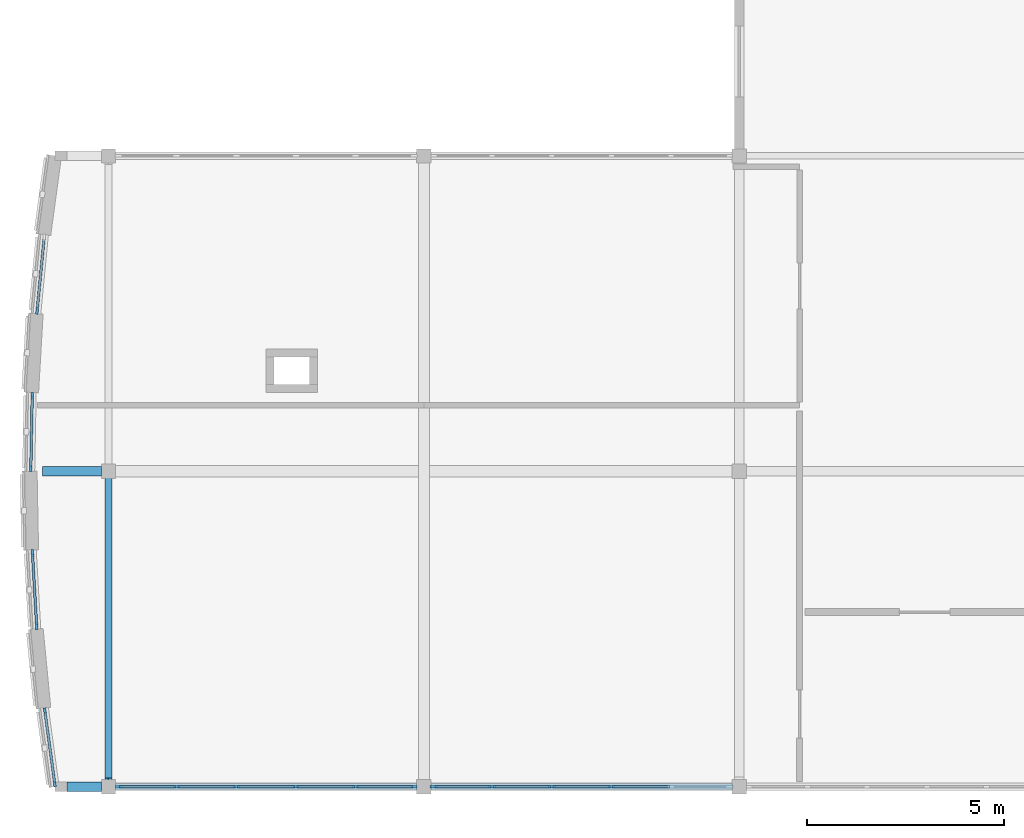
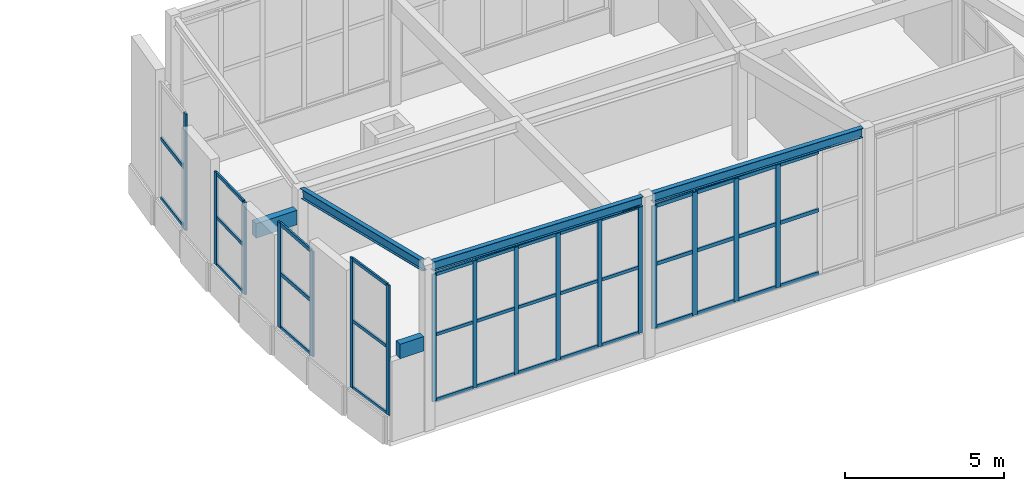
# One storey, part 3 of 63: 55 members, 5 beams, 6 elements without a shape of their own.
"""IFC4 building model written with IfcOpenShell, lengths in metres."""

from ifc_helpers import new_model, si_unit, direction, frame, origin, origin_2d, place, context, subcontext, project, spatial, rectangle, i_section, extrude, material, layer, layer_set, material_profile, profile_set, type_object, element, aggregate, save


model = new_model("IFC4")

# Units and contexts
model_context = context("Model", 3, precision=1e-05, world=origin(), true_north=direction((0.0, 1.0)))
body_context = subcontext(model_context, "Body", "Model", "MODEL_VIEW")
ifc_project = project(units=[si_unit("LENGTHUNIT", "METRE"), si_unit("AREAUNIT", "SQUARE_METRE"), si_unit("VOLUMEUNIT", "CUBIC_METRE"), si_unit("PLANEANGLEUNIT", "RADIAN"), si_unit("MASSUNIT", "GRAM", prefix="KILO")], contexts=[model_context])

# Site, building, storey
site_placement = place(None, origin())
site = spatial("IfcSite", under=ifc_project, at=site_placement, CompositionType="ELEMENT")
building_placement = place(site_placement, origin())
building = spatial("IfcBuilding", under=site, at=building_placement, Name="Tonlespit Floodbar School", CompositionType="ELEMENT")
storey_placement = place(building_placement, frame((0.0, 0.0, 8.39990234375)))
storey = spatial("IfcBuildingStorey", under=building, at=storey_placement, Name="L02", CompositionType="ELEMENT", Elevation=8.39990234375)

# Beams
ifc_material_1 = material(Name="Glulam GL28h", Category="wood")
ifc_material_profile_1 = material_profile(ifc_material_1, rectangle(XDim=0.239990234375, YDim=0.56005859375, at=origin_2d()), Name="GL 240x560")
ifc_profile_set_1 = profile_set([ifc_material_profile_1], Name="Glulam GL28h")
beam_type_1 = type_object("IfcBeamType", Name="Beam_GL_240x560", PredefinedType="BEAM", material=ifc_profile_set_1)
beam_1_placement = place(storey_placement, frame((3.820068359375, 4.0, 3.3701171875), z_axis=(-1.0, 0.0, 0.0), x_axis=(0.0, -1.0, 0.0)))
element("IfcBeam", 1, at=beam_1_placement, inside=storey, type_object=beam_type_1, Name="L02 west street wave cantilever bracket", PredefinedType="BEAM", context=body_context, shape_type="SweptSolid", body=[
    extrude(rectangle(XDim=0.239990234375, YDim=0.56005859375, at=origin_2d()), origin(), (0.0, 0.0, 1.0), 0.8701171875),
])
beam_2_placement = place(storey_placement, frame((3.820068359375, 12.0, 3.3701171875), z_axis=(-1.0, 0.0, 0.0), x_axis=(0.0, -1.0, 0.0)))
element("IfcBeam", 2, at=beam_2_placement, inside=storey, type_object=beam_type_1, Name="L02 west street wave cantilever bracket", PredefinedType="BEAM", context=body_context, shape_type="SweptSolid", body=[
    extrude(rectangle(XDim=0.239990234375, YDim=0.56005859375, at=origin_2d()), origin(), (0.0, 0.0, 1.0), 1.4892578125),
])

# Curtain wall, members
ifc_material_2 = material(Name="Anodised Aluminium", Category="aluminium")
ifc_layer_1 = layer(ifc_material_2, 0.159912109375)
ifc_layer_set_1 = layer_set([ifc_layer_1], Name="Anodised Aluminium")
curtain_wall_type_1 = type_object("IfcCurtainWallType", Name="CurtainWall_1950x5000", PredefinedType="NOTDEFINED", material=ifc_layer_set_1)
curtain_wall_1_placement = place(storey_placement, origin())
curtain_wall_1 = element("IfcCurtainWall", 3, at=curtain_wall_1_placement, inside=storey, type_object=curtain_wall_type_1, Name="L02 unitised curtain wall 0528", PredefinedType="NOTDEFINED")
ifc_material_profile_2 = material_profile(ifc_material_2, rectangle(XDim=0.06494140625, YDim=0.14990234375, at=origin_2d()), Name="ALU M65x150")
ifc_profile_set_2 = profile_set([ifc_material_profile_2], Name="Anodised Aluminium")
member_type_1 = type_object("IfcMemberType", Name="CW_Mullion_65x150", PredefinedType="MULLION", material=ifc_profile_set_2)
member_1_placement = place(storey_placement, frame((2.64013671875, 4.07177734375, 0.9501953125), z_axis=(0.0, 0.0, 1.0), x_axis=(-0.990894096494, -0.134643564765, 0.0)))
member_1 = element("IfcMember", 4, at=member_1_placement, type_object=member_type_1, Name="CW-85 mullion 1", PredefinedType="MULLION", context=body_context, shape_type="SweptSolid", body=[
    extrude(rectangle(XDim=0.06494140625, YDim=0.14990234375, at=origin_2d()), origin(), (0.0, 0.0, 1.0), 4.9931640625),
])
member_2_placement = place(storey_placement, frame((2.387939453125, 5.92822265625, 0.9501953125), z_axis=(0.0, 0.0, 1.0), x_axis=(-0.990894096494, -0.134643564765, 0.0)))
member_2 = element("IfcMember", 5, at=member_2_placement, type_object=member_type_1, Name="CW-85 mullion 2", PredefinedType="MULLION", context=body_context, shape_type="SweptSolid", body=[
    extrude(rectangle(XDim=0.06494140625, YDim=0.14990234375, at=origin_2d()), origin(), (0.0, 0.0, 1.0), 4.9931640625),
])

ifc_layer_2 = layer(ifc_material_2, 0.159912109375)
ifc_layer_set_2 = layer_set([ifc_layer_2], Name="Anodised Aluminium")
curtain_wall_type_2 = type_object("IfcCurtainWallType", Name="CurtainWall_1900x3550", PredefinedType="NOTDEFINED", material=ifc_layer_set_2)
curtain_wall_2_placement = place(storey_placement, origin())
curtain_wall_2 = element("IfcCurtainWall", 6, at=curtain_wall_2_placement, inside=storey, type_object=curtain_wall_type_2, Name="L02 unitised curtain wall 0530", PredefinedType="NOTDEFINED")
member_3_placement = place(storey_placement, frame((2.0322265625, 12.072509765625, 0.9501953125), z_axis=(0.0, 0.0, 1.0), x_axis=(-0.999815370969, 0.019215201653, 0.0)))
member_3 = element("IfcMember", 7, at=member_3_placement, type_object=member_type_1, Name="CW-14 mullion 1", PredefinedType="MULLION", context=body_context, shape_type="SweptSolid", body=[
    extrude(rectangle(XDim=0.06494140625, YDim=0.14990234375, at=origin_2d()), origin(), (0.0, 0.0, 1.0), 3.553466796875),
])
member_4_placement = place(storey_placement, frame((2.06787109375, 13.927490234375, 0.9501953125), z_axis=(0.0, 0.0, 1.0), x_axis=(-0.999815370969, 0.019215201653, 0.0)))
member_4 = element("IfcMember", 8, at=member_4_placement, type_object=member_type_1, Name="CW-14 mullion 2", PredefinedType="MULLION", context=body_context, shape_type="SweptSolid", body=[
    extrude(rectangle(XDim=0.06494140625, YDim=0.14990234375, at=origin_2d()), origin(), (0.0, 0.0, 1.0), 3.553466796875),
])

ifc_layer_3 = layer(ifc_material_2, 0.159912109375)
ifc_layer_set_3 = layer_set([ifc_layer_3], Name="Anodised Aluminium")
curtain_wall_type_3 = type_object("IfcCurtainWallType", Name="CurtainWall_7550x4900", PredefinedType="NOTDEFINED", material=ifc_layer_set_3)
curtain_wall_3_placement = place(storey_placement, origin())
curtain_wall_3 = element("IfcCurtainWall", 9, at=curtain_wall_3_placement, inside=storey, type_object=curtain_wall_type_3, Name="L02 unitised curtain wall 0534", PredefinedType="NOTDEFINED")
member_5_placement = place(storey_placement, frame((11.74755859375, 4.0, 0.9501953125), z_axis=(0.0, 0.0, 1.0), x_axis=(0.0, -1.0, 0.0)))
member_5 = element("IfcMember", 10, at=member_5_placement, type_object=member_type_1, Name="CW-90 mullion 1", PredefinedType="MULLION", context=body_context, shape_type="SweptSolid", body=[
    extrude(rectangle(XDim=0.06494140625, YDim=0.14990234375, at=origin_2d()), origin(), (0.0, 0.0, 1.0), 4.88818359375),
])
member_6_placement = place(storey_placement, frame((10.26806640625, 4.0, 0.9501953125), z_axis=(0.0, 0.0, 1.0), x_axis=(0.0, -1.0, 0.0)))
member_6 = element("IfcMember", 11, at=member_6_placement, type_object=member_type_1, Name="CW-90 mullion 2", PredefinedType="MULLION", context=body_context, shape_type="SweptSolid", body=[
    extrude(rectangle(XDim=0.06494140625, YDim=0.14990234375, at=origin_2d()), origin(), (0.0, 0.0, 1.0), 4.88818359375),
])
member_7_placement = place(storey_placement, frame((8.756103515625, 4.0, 0.9501953125), z_axis=(0.0, 0.0, 1.0), x_axis=(0.0, -1.0, 0.0)))
member_7 = element("IfcMember", 12, at=member_7_placement, type_object=member_type_1, Name="CW-90 mullion 3", PredefinedType="MULLION", context=body_context, shape_type="SweptSolid", body=[
    extrude(rectangle(XDim=0.06494140625, YDim=0.14990234375, at=origin_2d()), origin(), (0.0, 0.0, 1.0), 4.88818359375),
])
member_8_placement = place(storey_placement, frame((7.243896484375, 4.0, 0.9501953125), z_axis=(0.0, 0.0, 1.0), x_axis=(0.0, -1.0, 0.0)))
member_8 = element("IfcMember", 13, at=member_8_placement, type_object=member_type_1, Name="CW-90 mullion 4", PredefinedType="MULLION", context=body_context, shape_type="SweptSolid", body=[
    extrude(rectangle(XDim=0.06494140625, YDim=0.14990234375, at=origin_2d()), origin(), (0.0, 0.0, 1.0), 4.88818359375),
])
member_9_placement = place(storey_placement, frame((5.73193359375, 4.0, 0.9501953125), z_axis=(0.0, 0.0, 1.0), x_axis=(0.0, -1.0, 0.0)))
member_9 = element("IfcMember", 14, at=member_9_placement, type_object=member_type_1, Name="CW-90 mullion 5", PredefinedType="MULLION", context=body_context, shape_type="SweptSolid", body=[
    extrude(rectangle(XDim=0.06494140625, YDim=0.14990234375, at=origin_2d()), origin(), (0.0, 0.0, 1.0), 4.88818359375),
])
member_10_placement = place(storey_placement, frame((4.25244140625, 4.0, 0.9501953125), z_axis=(0.0, 0.0, 1.0), x_axis=(0.0, -1.0, 0.0)))
member_10 = element("IfcMember", 15, at=member_10_placement, type_object=member_type_1, Name="CW-90 mullion 6", PredefinedType="MULLION", context=body_context, shape_type="SweptSolid", body=[
    extrude(rectangle(XDim=0.06494140625, YDim=0.14990234375, at=origin_2d()), origin(), (0.0, 0.0, 1.0), 4.88818359375),
])

ifc_layer_4 = layer(ifc_material_2, 0.159912109375)
ifc_layer_set_4 = layer_set([ifc_layer_4], Name="Anodised Aluminium")
curtain_wall_type_4 = type_object("IfcCurtainWallType", Name="CurtainWall_1900x4050", PredefinedType="NOTDEFINED", material=ifc_layer_set_4)
curtain_wall_4_placement = place(storey_placement, origin())
curtain_wall_4 = element("IfcCurtainWall", 16, at=curtain_wall_4_placement, inside=storey, type_object=curtain_wall_type_4, Name="L02 unitised curtain wall 0529", PredefinedType="NOTDEFINED")
ifc_material_profile_3 = material_profile(ifc_material_2, rectangle(XDim=0.06494140625, YDim=0.179931640625, at=origin_2d()), Name="ALU M65x180")
ifc_profile_set_3 = profile_set([ifc_material_profile_3], Name="Anodised Aluminium")
member_type_2 = type_object("IfcMemberType", Name="CW_Mullion_65x180", PredefinedType="MULLION", material=ifc_profile_set_3)
member_11_placement = place(storey_placement, frame((2.180908203125, 8.072265625, 0.9501953125), z_axis=(0.0, 0.0, 1.0), x_axis=(-0.998333381227, -0.057710137129, 0.0)))
member_11 = element("IfcMember", 17, at=member_11_placement, type_object=member_type_2, Name="CW-86 mullion 1", PredefinedType="MULLION", context=body_context, shape_type="SweptSolid", body=[
    extrude(rectangle(XDim=0.06494140625, YDim=0.179931640625, at=origin_2d()), origin(), (0.0, 0.0, 1.0), 4.034912109375),
])
member_12_placement = place(storey_placement, frame((2.073486328125, 9.927734375, 0.9501953125), z_axis=(0.0, 0.0, 1.0), x_axis=(-0.998333381227, -0.057710137129, 0.0)))
member_12 = element("IfcMember", 18, at=member_12_placement, type_object=member_type_2, Name="CW-86 mullion 2", PredefinedType="MULLION", context=body_context, shape_type="SweptSolid", body=[
    extrude(rectangle(XDim=0.06494140625, YDim=0.179931640625, at=origin_2d()), origin(), (0.0, 0.0, 1.0), 4.034912109375),
])

# Curtain wall, member
ifc_layer_5 = layer(ifc_material_2, 0.159912109375)
ifc_layer_set_5 = layer_set([ifc_layer_5], Name="Anodised Aluminium")
curtain_wall_type_5 = type_object("IfcCurtainWallType", Name="CurtainWall_1950x4450", PredefinedType="NOTDEFINED", material=ifc_layer_set_5)
curtain_wall_5_placement = place(storey_placement, origin())
curtain_wall_5 = element("IfcCurtainWall", 19, at=curtain_wall_5_placement, inside=storey, type_object=curtain_wall_type_5, Name="L02 unitised curtain wall 0531", PredefinedType="NOTDEFINED")
member_13_placement = place(storey_placement, frame((2.19189453125, 16.072265625, 0.9501953125), z_axis=(0.0, 0.0, 1.0), x_axis=(-0.995362188546, 0.096198303585, 0.0)))
member_13 = element("IfcMember", 20, at=member_13_placement, type_object=member_type_2, Name="CW-87 mullion 1", PredefinedType="MULLION", context=body_context, shape_type="SweptSolid", body=[
    extrude(rectangle(XDim=0.06494140625, YDim=0.179931640625, at=origin_2d()), origin(), (0.0, 0.0, 1.0), 4.468017578125),
])

# Curtain wall, members
ifc_layer_6 = layer(ifc_material_2, 0.159912109375)
ifc_layer_set_6 = layer_set([ifc_layer_6], Name="Anodised Aluminium")
curtain_wall_type_6 = type_object("IfcCurtainWallType", Name="CurtainWall_7550x4700", PredefinedType="NOTDEFINED", material=ifc_layer_set_6)
curtain_wall_6_placement = place(storey_placement, origin())
curtain_wall_6 = element("IfcCurtainWall", 21, at=curtain_wall_6_placement, inside=storey, type_object=curtain_wall_type_6, Name="L02 unitised curtain wall 0533", PredefinedType="NOTDEFINED")
member_14_placement = place(storey_placement, frame((16.756103515625, 4.0, 0.9501953125), z_axis=(0.0, 0.0, 1.0), x_axis=(0.0, -1.0, 0.0)))
member_14 = element("IfcMember", 22, at=member_14_placement, type_object=member_type_2, Name="CW-89 mullion 3", PredefinedType="MULLION", context=body_context, shape_type="SweptSolid", body=[
    extrude(rectangle(XDim=0.06494140625, YDim=0.179931640625, at=origin_2d()), origin(), (0.0, 0.0, 1.0), 4.720703125),
])
member_15_placement = place(storey_placement, frame((15.243896484375, 4.0, 0.9501953125), z_axis=(0.0, 0.0, 1.0), x_axis=(0.0, -1.0, 0.0)))
member_15 = element("IfcMember", 23, at=member_15_placement, type_object=member_type_2, Name="CW-89 mullion 4", PredefinedType="MULLION", context=body_context, shape_type="SweptSolid", body=[
    extrude(rectangle(XDim=0.06494140625, YDim=0.179931640625, at=origin_2d()), origin(), (0.0, 0.0, 1.0), 4.720703125),
])
member_16_placement = place(storey_placement, frame((13.73193359375, 4.0, 0.9501953125), z_axis=(0.0, 0.0, 1.0), x_axis=(0.0, -1.0, 0.0)))
member_16 = element("IfcMember", 24, at=member_16_placement, type_object=member_type_2, Name="CW-89 mullion 5", PredefinedType="MULLION", context=body_context, shape_type="SweptSolid", body=[
    extrude(rectangle(XDim=0.06494140625, YDim=0.179931640625, at=origin_2d()), origin(), (0.0, 0.0, 1.0), 4.720703125),
])
member_17_placement = place(storey_placement, frame((12.25244140625, 4.0, 0.9501953125), z_axis=(0.0, 0.0, 1.0), x_axis=(0.0, -1.0, 0.0)))
member_17 = element("IfcMember", 25, at=member_17_placement, type_object=member_type_2, Name="CW-89 mullion 6", PredefinedType="MULLION", context=body_context, shape_type="SweptSolid", body=[
    extrude(rectangle(XDim=0.06494140625, YDim=0.179931640625, at=origin_2d()), origin(), (0.0, 0.0, 1.0), 4.720703125),
])

# Member
ifc_material_profile_4 = material_profile(ifc_material_2, rectangle(XDim=0.06494140625, YDim=0.1201171875, at=origin_2d()), Name="ALU T65x120")
ifc_profile_set_4 = profile_set([ifc_material_profile_4], Name="Anodised Aluminium")
member_type_3 = type_object("IfcMemberType", Name="CW_Transom_65x120", PredefinedType="USERDEFINED", material=ifc_profile_set_4)
member_18_placement = place(storey_placement, frame((2.6357421875, 4.10400390625, 0.982666015625), z_axis=(-0.1345950926, 0.990900681728, 0.0), x_axis=(-0.990900681728, -0.1345950926, 0.0)))
member_18 = element("IfcMember", 26, at=member_18_placement, type_object=member_type_3, Name="CW-85 transom 1.1", ObjectType="TRANSOM", PredefinedType="USERDEFINED", context=body_context, shape_type="SweptSolid", body=[
    extrude(rectangle(XDim=0.06494140625, YDim=0.1201171875, at=origin_2d()), origin(), (0.0, 0.0, 1.0), 1.808349609375),
])

member_19_placement = place(storey_placement, frame((2.6357421875, 4.10400390625, 3.546630859375), z_axis=(-0.1345950926, 0.990900681728, 0.0), x_axis=(-0.990900681728, -0.1345950926, 0.0)))
member_19 = element("IfcMember", 27, at=member_19_placement, type_object=member_type_3, Name="CW-85 transom 1.2", ObjectType="TRANSOM", PredefinedType="USERDEFINED", context=body_context, shape_type="SweptSolid", body=[
    extrude(rectangle(XDim=0.06494140625, YDim=0.1201171875, at=origin_2d()), origin(), (0.0, 0.0, 1.0), 1.808349609375),
])

member_20_placement = place(storey_placement, frame((2.6357421875, 4.10400390625, 5.910888671875), z_axis=(-0.1345950926, 0.990900681728, 0.0), x_axis=(-0.990900681728, -0.1345950926, 0.0)))
member_20 = element("IfcMember", 28, at=member_20_placement, type_object=member_type_3, Name="CW-85 transom 1.3", ObjectType="TRANSOM", PredefinedType="USERDEFINED", context=body_context, shape_type="SweptSolid", body=[
    extrude(rectangle(XDim=0.06494140625, YDim=0.1201171875, at=origin_2d()), origin(), (0.0, 0.0, 1.0), 1.808349609375),
])

aggregate(curtain_wall_1, [member_1, member_2, member_18, member_19, member_20])

member_21_placement = place(storey_placement, frame((2.032958984375, 12.10498046875, 0.982666015625), z_axis=(0.019227214231, 0.99981514003, 0.0), x_axis=(-0.99981514003, 0.019227214231, 0.0)))
member_21 = element("IfcMember", 29, at=member_21_placement, type_object=member_type_3, Name="CW-14 transom 1.1", ObjectType="TRANSOM", PredefinedType="USERDEFINED", context=body_context, shape_type="SweptSolid", body=[
    extrude(rectangle(XDim=0.06494140625, YDim=0.1201171875, at=origin_2d()), origin(), (0.0, 0.0, 1.0), 1.790283203125),
])

member_22_placement = place(storey_placement, frame((2.032958984375, 12.10498046875, 2.7978515625), z_axis=(0.019227214231, 0.99981514003, 0.0), x_axis=(-0.99981514003, 0.019227214231, 0.0)))
member_22 = element("IfcMember", 30, at=member_22_placement, type_object=member_type_3, Name="CW-14 transom 1.2", ObjectType="TRANSOM", PredefinedType="USERDEFINED", context=body_context, shape_type="SweptSolid", body=[
    extrude(rectangle(XDim=0.06494140625, YDim=0.1201171875, at=origin_2d()), origin(), (0.0, 0.0, 1.0), 1.790283203125),
])

member_23_placement = place(storey_placement, frame((2.032958984375, 12.10498046875, 4.47119140625), z_axis=(0.019227214231, 0.99981514003, 0.0), x_axis=(-0.99981514003, 0.019227214231, 0.0)))
member_23 = element("IfcMember", 31, at=member_23_placement, type_object=member_type_3, Name="CW-14 transom 1.3", ObjectType="TRANSOM", PredefinedType="USERDEFINED", context=body_context, shape_type="SweptSolid", body=[
    extrude(rectangle(XDim=0.06494140625, YDim=0.1201171875, at=origin_2d()), origin(), (0.0, 0.0, 1.0), 1.790283203125),
])

aggregate(curtain_wall_2, [member_3, member_4, member_21, member_22, member_23])

member_24_placement = place(storey_placement, frame((11.715087890625, 4.0, 0.982666015625), z_axis=(-1.0, 0.0, 0.0), x_axis=(0.0, -1.0, 0.0)))
member_24 = element("IfcMember", 32, at=member_24_placement, type_object=member_type_3, Name="CW-90 transom 1.1", ObjectType="TRANSOM", PredefinedType="USERDEFINED", context=body_context, shape_type="SweptSolid", body=[
    extrude(rectangle(XDim=0.06494140625, YDim=0.1201171875, at=origin_2d()), origin(), (0.0, 0.0, 1.0), 1.41455078125),
])

member_25_placement = place(storey_placement, frame((11.715087890625, 4.0, 3.491943359375), z_axis=(-1.0, 0.0, 0.0), x_axis=(0.0, -1.0, 0.0)))
member_25 = element("IfcMember", 33, at=member_25_placement, type_object=member_type_3, Name="CW-90 transom 1.2", ObjectType="TRANSOM", PredefinedType="USERDEFINED", context=body_context, shape_type="SweptSolid", body=[
    extrude(rectangle(XDim=0.06494140625, YDim=0.1201171875, at=origin_2d()), origin(), (0.0, 0.0, 1.0), 1.41455078125),
])

member_26_placement = place(storey_placement, frame((11.715087890625, 4.0, 5.805908203125), z_axis=(-1.0, 0.0, 0.0), x_axis=(0.0, -1.0, 0.0)))
member_26 = element("IfcMember", 34, at=member_26_placement, type_object=member_type_3, Name="CW-90 transom 1.3", ObjectType="TRANSOM", PredefinedType="USERDEFINED", context=body_context, shape_type="SweptSolid", body=[
    extrude(rectangle(XDim=0.06494140625, YDim=0.1201171875, at=origin_2d()), origin(), (0.0, 0.0, 1.0), 1.41455078125),
])

member_27_placement = place(storey_placement, frame((10.235595703125, 4.0, 0.982666015625), z_axis=(-1.0, 0.0, 0.0), x_axis=(0.0, -1.0, 0.0)))
member_27 = element("IfcMember", 35, at=member_27_placement, type_object=member_type_3, Name="CW-90 transom 2.1", ObjectType="TRANSOM", PredefinedType="USERDEFINED", context=body_context, shape_type="SweptSolid", body=[
    extrude(rectangle(XDim=0.06494140625, YDim=0.1201171875, at=origin_2d()), origin(), (0.0, 0.0, 1.0), 1.447021484375),
])

member_28_placement = place(storey_placement, frame((10.235595703125, 4.0, 3.491943359375), z_axis=(-1.0, 0.0, 0.0), x_axis=(0.0, -1.0, 0.0)))
member_28 = element("IfcMember", 36, at=member_28_placement, type_object=member_type_3, Name="CW-90 transom 2.2", ObjectType="TRANSOM", PredefinedType="USERDEFINED", context=body_context, shape_type="SweptSolid", body=[
    extrude(rectangle(XDim=0.06494140625, YDim=0.1201171875, at=origin_2d()), origin(), (0.0, 0.0, 1.0), 1.447021484375),
])

member_29_placement = place(storey_placement, frame((10.235595703125, 4.0, 5.805908203125), z_axis=(-1.0, 0.0, 0.0), x_axis=(0.0, -1.0, 0.0)))
member_29 = element("IfcMember", 37, at=member_29_placement, type_object=member_type_3, Name="CW-90 transom 2.3", ObjectType="TRANSOM", PredefinedType="USERDEFINED", context=body_context, shape_type="SweptSolid", body=[
    extrude(rectangle(XDim=0.06494140625, YDim=0.1201171875, at=origin_2d()), origin(), (0.0, 0.0, 1.0), 1.447021484375),
])

member_30_placement = place(storey_placement, frame((8.723388671875, 4.0, 0.982666015625), z_axis=(-1.0, 0.0, 0.0), x_axis=(0.0, -1.0, 0.0)))
member_30 = element("IfcMember", 38, at=member_30_placement, type_object=member_type_3, Name="CW-90 transom 3.1", ObjectType="TRANSOM", PredefinedType="USERDEFINED", context=body_context, shape_type="SweptSolid", body=[
    extrude(rectangle(XDim=0.06494140625, YDim=0.1201171875, at=origin_2d()), origin(), (0.0, 0.0, 1.0), 1.44677734375),
])

member_31_placement = place(storey_placement, frame((8.723388671875, 4.0, 3.491943359375), z_axis=(-1.0, 0.0, 0.0), x_axis=(0.0, -1.0, 0.0)))
member_31 = element("IfcMember", 39, at=member_31_placement, type_object=member_type_3, Name="CW-90 transom 3.2", ObjectType="TRANSOM", PredefinedType="USERDEFINED", context=body_context, shape_type="SweptSolid", body=[
    extrude(rectangle(XDim=0.06494140625, YDim=0.1201171875, at=origin_2d()), origin(), (0.0, 0.0, 1.0), 1.44677734375),
])

member_32_placement = place(storey_placement, frame((8.723388671875, 4.0, 5.805908203125), z_axis=(-1.0, 0.0, 0.0), x_axis=(0.0, -1.0, 0.0)))
member_32 = element("IfcMember", 40, at=member_32_placement, type_object=member_type_3, Name="CW-90 transom 3.3", ObjectType="TRANSOM", PredefinedType="USERDEFINED", context=body_context, shape_type="SweptSolid", body=[
    extrude(rectangle(XDim=0.06494140625, YDim=0.1201171875, at=origin_2d()), origin(), (0.0, 0.0, 1.0), 1.44677734375),
])

member_33_placement = place(storey_placement, frame((7.21142578125, 4.0, 0.982666015625), z_axis=(-1.0, 0.0, 0.0), x_axis=(0.0, -1.0, 0.0)))
member_33 = element("IfcMember", 41, at=member_33_placement, type_object=member_type_3, Name="CW-90 transom 4.1", ObjectType="TRANSOM", PredefinedType="USERDEFINED", context=body_context, shape_type="SweptSolid", body=[
    extrude(rectangle(XDim=0.06494140625, YDim=0.1201171875, at=origin_2d()), origin(), (0.0, 0.0, 1.0), 1.447021484375),
])

member_34_placement = place(storey_placement, frame((7.21142578125, 4.0, 3.491943359375), z_axis=(-1.0, 0.0, 0.0), x_axis=(0.0, -1.0, 0.0)))
member_34 = element("IfcMember", 42, at=member_34_placement, type_object=member_type_3, Name="CW-90 transom 4.2", ObjectType="TRANSOM", PredefinedType="USERDEFINED", context=body_context, shape_type="SweptSolid", body=[
    extrude(rectangle(XDim=0.06494140625, YDim=0.1201171875, at=origin_2d()), origin(), (0.0, 0.0, 1.0), 1.447021484375),
])

member_35_placement = place(storey_placement, frame((7.21142578125, 4.0, 5.805908203125), z_axis=(-1.0, 0.0, 0.0), x_axis=(0.0, -1.0, 0.0)))
member_35 = element("IfcMember", 43, at=member_35_placement, type_object=member_type_3, Name="CW-90 transom 4.3", ObjectType="TRANSOM", PredefinedType="USERDEFINED", context=body_context, shape_type="SweptSolid", body=[
    extrude(rectangle(XDim=0.06494140625, YDim=0.1201171875, at=origin_2d()), origin(), (0.0, 0.0, 1.0), 1.447021484375),
])

member_36_placement = place(storey_placement, frame((5.699462890625, 4.0, 0.982666015625), z_axis=(-1.0, 0.0, 0.0), x_axis=(0.0, -1.0, 0.0)))
member_36 = element("IfcMember", 44, at=member_36_placement, type_object=member_type_3, Name="CW-90 transom 5.1", ObjectType="TRANSOM", PredefinedType="USERDEFINED", context=body_context, shape_type="SweptSolid", body=[
    extrude(rectangle(XDim=0.06494140625, YDim=0.1201171875, at=origin_2d()), origin(), (0.0, 0.0, 1.0), 1.41455078125),
])

member_37_placement = place(storey_placement, frame((5.699462890625, 4.0, 3.491943359375), z_axis=(-1.0, 0.0, 0.0), x_axis=(0.0, -1.0, 0.0)))
member_37 = element("IfcMember", 45, at=member_37_placement, type_object=member_type_3, Name="CW-90 transom 5.2", ObjectType="TRANSOM", PredefinedType="USERDEFINED", context=body_context, shape_type="SweptSolid", body=[
    extrude(rectangle(XDim=0.06494140625, YDim=0.1201171875, at=origin_2d()), origin(), (0.0, 0.0, 1.0), 1.41455078125),
])

member_38_placement = place(storey_placement, frame((5.699462890625, 4.0, 5.805908203125), z_axis=(-1.0, 0.0, 0.0), x_axis=(0.0, -1.0, 0.0)))
member_38 = element("IfcMember", 46, at=member_38_placement, type_object=member_type_3, Name="CW-90 transom 5.3", ObjectType="TRANSOM", PredefinedType="USERDEFINED", context=body_context, shape_type="SweptSolid", body=[
    extrude(rectangle(XDim=0.06494140625, YDim=0.1201171875, at=origin_2d()), origin(), (0.0, 0.0, 1.0), 1.41455078125),
])

aggregate(curtain_wall_3, [member_5, member_6, member_7, member_8, member_9, member_10, member_24, member_25, member_26, member_27, member_28, member_29, member_30, member_31, member_32, member_33, member_34, member_35, member_36, member_37, member_38])

ifc_material_profile_5 = material_profile(ifc_material_2, rectangle(XDim=0.06494140625, YDim=0.139892578125, at=origin_2d()), Name="ALU T65x140")
ifc_profile_set_5 = profile_set([ifc_material_profile_5], Name="Anodised Aluminium")
member_type_4 = type_object("IfcMemberType", Name="CW_Transom_65x140", PredefinedType="USERDEFINED", material=ifc_profile_set_5)
member_39_placement = place(storey_placement, frame((2.178955078125, 8.104736328125, 0.982666015625), z_axis=(-0.057716552548, 0.998333010354, 0.0), x_axis=(-0.998333010354, -0.057716552548, 0.0)))
member_39 = element("IfcMember", 47, at=member_39_placement, type_object=member_type_4, Name="CW-86 transom 1.1", ObjectType="TRANSOM", PredefinedType="USERDEFINED", context=body_context, shape_type="SweptSolid", body=[
    extrude(rectangle(XDim=0.06494140625, YDim=0.139892578125, at=origin_2d()), origin(), (0.0, 0.0, 1.0), 1.79345703125),
])

member_40_placement = place(storey_placement, frame((2.178955078125, 8.104736328125, 3.04833984375), z_axis=(-0.057716552548, 0.998333010354, 0.0), x_axis=(-0.998333010354, -0.057716552548, 0.0)))
member_40 = element("IfcMember", 48, at=member_40_placement, type_object=member_type_4, Name="CW-86 transom 1.2", ObjectType="TRANSOM", PredefinedType="USERDEFINED", context=body_context, shape_type="SweptSolid", body=[
    extrude(rectangle(XDim=0.06494140625, YDim=0.139892578125, at=origin_2d()), origin(), (0.0, 0.0, 1.0), 1.79345703125),
])

member_41_placement = place(storey_placement, frame((2.178955078125, 8.104736328125, 4.95263671875), z_axis=(-0.057716552548, 0.998333010354, 0.0), x_axis=(-0.998333010354, -0.057716552548, 0.0)))
member_41 = element("IfcMember", 49, at=member_41_placement, type_object=member_type_4, Name="CW-86 transom 1.3", ObjectType="TRANSOM", PredefinedType="USERDEFINED", context=body_context, shape_type="SweptSolid", body=[
    extrude(rectangle(XDim=0.06494140625, YDim=0.139892578125, at=origin_2d()), origin(), (0.0, 0.0, 1.0), 1.79345703125),
])

aggregate(curtain_wall_4, [member_11, member_12, member_39, member_40, member_41])

member_42_placement = place(storey_placement, frame((2.195068359375, 16.1044921875, 0.982666015625), z_axis=(0.096198443578, 0.995362175016, 0.0), x_axis=(-0.995362175016, 0.096198443578, 0.0)))
member_42 = element("IfcMember", 50, at=member_42_placement, type_object=member_type_4, Name="CW-87 transom 1.1", ObjectType="TRANSOM", PredefinedType="USERDEFINED", context=body_context, shape_type="SweptSolid", body=[
    extrude(rectangle(XDim=0.06494140625, YDim=0.139892578125, at=origin_2d()), origin(), (0.0, 0.0, 1.0), 1.79931640625),
])

member_43_placement = place(storey_placement, frame((2.195068359375, 16.1044921875, 3.2734375), z_axis=(0.096198443578, 0.995362175016, 0.0), x_axis=(-0.995362175016, 0.096198443578, 0.0)))
member_43 = element("IfcMember", 51, at=member_43_placement, type_object=member_type_4, Name="CW-87 transom 1.2", ObjectType="TRANSOM", PredefinedType="USERDEFINED", context=body_context, shape_type="SweptSolid", body=[
    extrude(rectangle(XDim=0.06494140625, YDim=0.139892578125, at=origin_2d()), origin(), (0.0, 0.0, 1.0), 1.79931640625),
])

aggregate(curtain_wall_5, [member_13, member_42, member_43])

member_44_placement = place(storey_placement, frame((18.235595703125, 4.0, 0.982666015625), z_axis=(-1.0, 0.0, 0.0), x_axis=(0.0, -1.0, 0.0)))
member_44 = element("IfcMember", 52, at=member_44_placement, type_object=member_type_4, Name="CW-89 transom 2.1", ObjectType="TRANSOM", PredefinedType="USERDEFINED", context=body_context, shape_type="SweptSolid", body=[
    extrude(rectangle(XDim=0.06494140625, YDim=0.139892578125, at=origin_2d()), origin(), (0.0, 0.0, 1.0), 1.447021484375),
])

member_45_placement = place(storey_placement, frame((18.235595703125, 4.0, 3.405029296875), z_axis=(-1.0, 0.0, 0.0), x_axis=(0.0, -1.0, 0.0)))
member_45 = element("IfcMember", 53, at=member_45_placement, type_object=member_type_4, Name="CW-89 transom 2.2", ObjectType="TRANSOM", PredefinedType="USERDEFINED", context=body_context, shape_type="SweptSolid", body=[
    extrude(rectangle(XDim=0.06494140625, YDim=0.139892578125, at=origin_2d()), origin(), (0.0, 0.0, 1.0), 1.447021484375),
])

member_46_placement = place(storey_placement, frame((18.235595703125, 4.0, 5.638427734375), z_axis=(-1.0, 0.0, 0.0), x_axis=(0.0, -1.0, 0.0)))
member_46 = element("IfcMember", 54, at=member_46_placement, type_object=member_type_4, Name="CW-89 transom 2.3", ObjectType="TRANSOM", PredefinedType="USERDEFINED", context=body_context, shape_type="SweptSolid", body=[
    extrude(rectangle(XDim=0.06494140625, YDim=0.139892578125, at=origin_2d()), origin(), (0.0, 0.0, 1.0), 1.447021484375),
])

member_47_placement = place(storey_placement, frame((16.723388671875, 4.0, 0.982666015625), z_axis=(-1.0, 0.0, 0.0), x_axis=(0.0, -1.0, 0.0)))
member_47 = element("IfcMember", 55, at=member_47_placement, type_object=member_type_4, Name="CW-89 transom 3.1", ObjectType="TRANSOM", PredefinedType="USERDEFINED", context=body_context, shape_type="SweptSolid", body=[
    extrude(rectangle(XDim=0.06494140625, YDim=0.139892578125, at=origin_2d()), origin(), (0.0, 0.0, 1.0), 1.44677734375),
])

member_48_placement = place(storey_placement, frame((16.723388671875, 4.0, 3.405029296875), z_axis=(-1.0, 0.0, 0.0), x_axis=(0.0, -1.0, 0.0)))
member_48 = element("IfcMember", 56, at=member_48_placement, type_object=member_type_4, Name="CW-89 transom 3.2", ObjectType="TRANSOM", PredefinedType="USERDEFINED", context=body_context, shape_type="SweptSolid", body=[
    extrude(rectangle(XDim=0.06494140625, YDim=0.139892578125, at=origin_2d()), origin(), (0.0, 0.0, 1.0), 1.44677734375),
])

member_49_placement = place(storey_placement, frame((16.723388671875, 4.0, 5.638427734375), z_axis=(-1.0, 0.0, 0.0), x_axis=(0.0, -1.0, 0.0)))
member_49 = element("IfcMember", 57, at=member_49_placement, type_object=member_type_4, Name="CW-89 transom 3.3", ObjectType="TRANSOM", PredefinedType="USERDEFINED", context=body_context, shape_type="SweptSolid", body=[
    extrude(rectangle(XDim=0.06494140625, YDim=0.139892578125, at=origin_2d()), origin(), (0.0, 0.0, 1.0), 1.44677734375),
])

member_50_placement = place(storey_placement, frame((15.21142578125, 4.0, 0.982666015625), z_axis=(-1.0, 0.0, 0.0), x_axis=(0.0, -1.0, 0.0)))
member_50 = element("IfcMember", 58, at=member_50_placement, type_object=member_type_4, Name="CW-89 transom 4.1", ObjectType="TRANSOM", PredefinedType="USERDEFINED", context=body_context, shape_type="SweptSolid", body=[
    extrude(rectangle(XDim=0.06494140625, YDim=0.139892578125, at=origin_2d()), origin(), (0.0, 0.0, 1.0), 1.447021484375),
])

member_51_placement = place(storey_placement, frame((15.21142578125, 4.0, 3.405029296875), z_axis=(-1.0, 0.0, 0.0), x_axis=(0.0, -1.0, 0.0)))
member_51 = element("IfcMember", 59, at=member_51_placement, type_object=member_type_4, Name="CW-89 transom 4.2", ObjectType="TRANSOM", PredefinedType="USERDEFINED", context=body_context, shape_type="SweptSolid", body=[
    extrude(rectangle(XDim=0.06494140625, YDim=0.139892578125, at=origin_2d()), origin(), (0.0, 0.0, 1.0), 1.447021484375),
])

member_52_placement = place(storey_placement, frame((15.21142578125, 4.0, 5.638427734375), z_axis=(-1.0, 0.0, 0.0), x_axis=(0.0, -1.0, 0.0)))
member_52 = element("IfcMember", 60, at=member_52_placement, type_object=member_type_4, Name="CW-89 transom 4.3", ObjectType="TRANSOM", PredefinedType="USERDEFINED", context=body_context, shape_type="SweptSolid", body=[
    extrude(rectangle(XDim=0.06494140625, YDim=0.139892578125, at=origin_2d()), origin(), (0.0, 0.0, 1.0), 1.447021484375),
])

member_53_placement = place(storey_placement, frame((13.699462890625, 4.0, 0.982666015625), z_axis=(-1.0, 0.0, 0.0), x_axis=(0.0, -1.0, 0.0)))
member_53 = element("IfcMember", 61, at=member_53_placement, type_object=member_type_4, Name="CW-89 transom 5.1", ObjectType="TRANSOM", PredefinedType="USERDEFINED", context=body_context, shape_type="SweptSolid", body=[
    extrude(rectangle(XDim=0.06494140625, YDim=0.139892578125, at=origin_2d()), origin(), (0.0, 0.0, 1.0), 1.41455078125),
])

member_54_placement = place(storey_placement, frame((13.699462890625, 4.0, 3.405029296875), z_axis=(-1.0, 0.0, 0.0), x_axis=(0.0, -1.0, 0.0)))
member_54 = element("IfcMember", 62, at=member_54_placement, type_object=member_type_4, Name="CW-89 transom 5.2", ObjectType="TRANSOM", PredefinedType="USERDEFINED", context=body_context, shape_type="SweptSolid", body=[
    extrude(rectangle(XDim=0.06494140625, YDim=0.139892578125, at=origin_2d()), origin(), (0.0, 0.0, 1.0), 1.41455078125),
])

member_55_placement = place(storey_placement, frame((13.699462890625, 4.0, 5.638427734375), z_axis=(-1.0, 0.0, 0.0), x_axis=(0.0, -1.0, 0.0)))
member_55 = element("IfcMember", 63, at=member_55_placement, type_object=member_type_4, Name="CW-89 transom 5.3", ObjectType="TRANSOM", PredefinedType="USERDEFINED", context=body_context, shape_type="SweptSolid", body=[
    extrude(rectangle(XDim=0.06494140625, YDim=0.139892578125, at=origin_2d()), origin(), (0.0, 0.0, 1.0), 1.41455078125),
])

aggregate(curtain_wall_6, [member_14, member_15, member_16, member_17, member_44, member_45, member_46, member_47, member_48, member_49, member_50, member_51, member_52, member_53, member_54, member_55])

# Beams
ifc_material_3 = material(Name="Steel S355", Category="steel")
ifc_material_profile_6 = material_profile(ifc_material_3, i_section(OverallWidth=0.169921875, OverallDepth=0.360107421875, WebThickness=0.008056640625, FlangeThickness=0.0126953125, at=origin_2d()), Name="IPE 360")
ifc_profile_set_6 = profile_set([ifc_material_profile_6], Name="Steel S355")
beam_type_2 = type_object("IfcBeamType", Name="Spandrel_STL_IPE360", PredefinedType="SPANDREL", material=ifc_profile_set_6)
for number, where, z_axis, x_axis, name in (
    (64, (4.179931640625, 4.0, 6.177978515625), (0.999781696291, 0.0, -0.02089401257), (0.0, 1.0, 0.0), "L02 girder 0918"),
    (65, (12.179931640625, 4.0, 6.0107421875), (0.999781696291, 0.0, -0.02089401257), (0.0, 1.0, 0.0), "L02 girder 0919"),
):
    element("IfcBeam", number, at=place(storey_placement, frame(where, z_axis=z_axis, x_axis=x_axis)), inside=storey, type_object=beam_type_2, Name=name, PredefinedType="SPANDREL", context=body_context, shape_type="SweptSolid", body=[
        extrude(i_section(OverallWidth=0.169921875, OverallDepth=0.360107421875, WebThickness=0.008056640625, FlangeThickness=0.0126953125, at=origin_2d()), origin(), (0.0, 0.0, 1.0), 7.641845703125),
    ])
beam_3_placement = place(storey_placement, frame((4.0, 4.179931640625, 6.138427734375), z_axis=(0.0, 0.972129832273, -0.234443147062), x_axis=(-1.0, 0.0, 0.0)))
element("IfcBeam", 66, at=beam_3_placement, inside=storey, type_object=beam_type_2, Name="L02 girder 0998", PredefinedType="SPANDREL", context=body_context, shape_type="SweptSolid", body=[
    extrude(i_section(OverallWidth=0.169921875, OverallDepth=0.360107421875, WebThickness=0.008056640625, FlangeThickness=0.0126953125, at=origin_2d()), origin(), (0.0, 0.0, 1.0), 7.859130859375),
])

save(model, "model.ifc")
